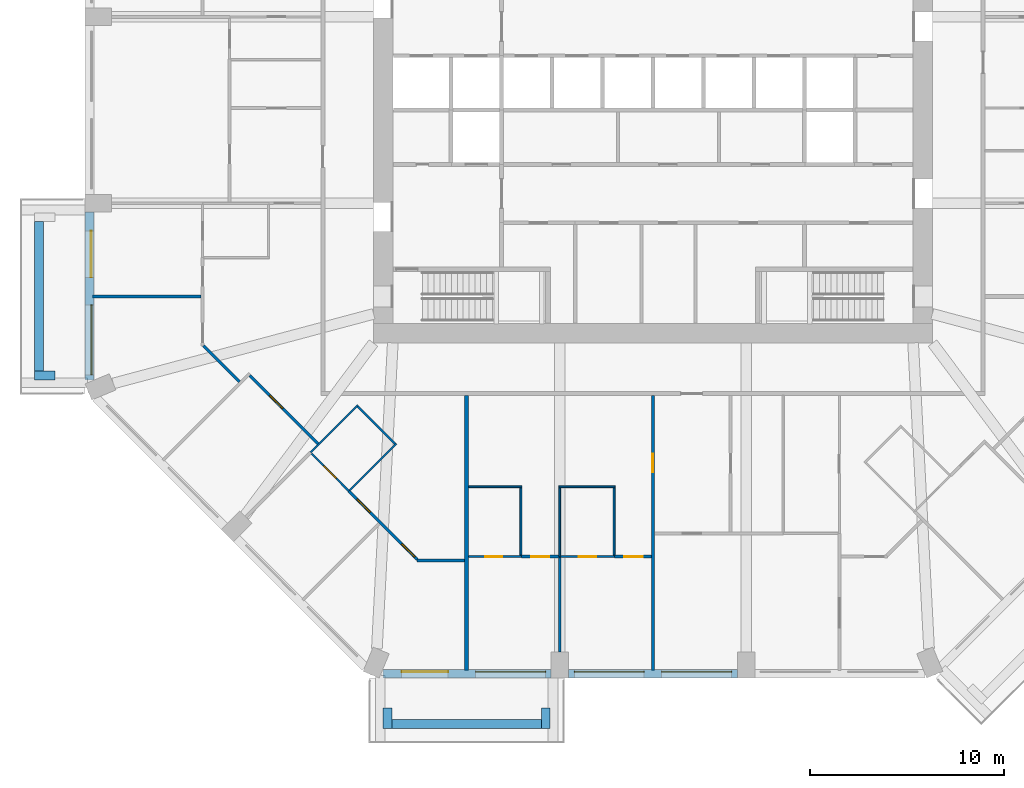
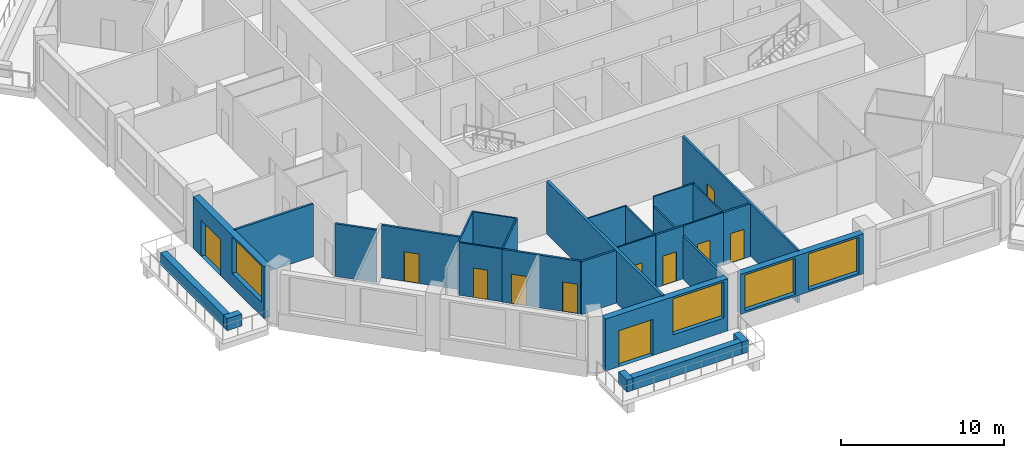
# One storey, part 3 of 13: 29 walls, 11 doors, 4 windows, 15 openings.
"""IFC4 building model written with IfcOpenShell, lengths in metres."""

from ifc_helpers import new_model, si_unit, direction, frame, frame_2d, origin, place, context, subcontext, project, spatial, rectangle, extrude, material, layer, layer_set, type_object, element, fill, save


model = new_model("IFC4")

# Units and contexts
model_context = context("Model", 3, precision=1e-05, world=origin(), true_north=direction((0.0, 1.0)))
body_context = subcontext(model_context, "Body", "Model", "MODEL_VIEW")
ifc_project = project(units=[si_unit("LENGTHUNIT", "METRE"), si_unit("AREAUNIT", "SQUARE_METRE"), si_unit("VOLUMEUNIT", "CUBIC_METRE"), si_unit("PLANEANGLEUNIT", "RADIAN"), si_unit("MASSUNIT", "GRAM", prefix="KILO")], contexts=[model_context])

# Site, building, storey
site_placement = place(None, origin())
site = spatial("IfcSite", under=ifc_project, at=site_placement, CompositionType="ELEMENT")
building_placement = place(site_placement, origin())
building = spatial("IfcBuilding", under=site, at=building_placement, Name="Msitu Wima Residences", CompositionType="ELEMENT")
storey_placement = place(building_placement, frame((0.0, 0.0, 50.699951171875)))
storey = spatial("IfcBuildingStorey", under=building, at=storey_placement, Name="L11", CompositionType="ELEMENT", Elevation=50.699951171875)

# Walls
ifc_material_1 = material(Name="Facing brick")
ifc_layer_1 = layer(ifc_material_1, 0.06494140625, Name="Facing brick")
ifc_material_2 = material(Name="Concrete C40/50", Category="concrete")
ifc_layer_2 = layer(ifc_material_2, 0.156005859375, Name="Concrete C40/50")
ifc_material_3 = material(Name="Waterproofing membrane")
ifc_layer_3 = layer(ifc_material_3, 0.00390625, Name="Waterproofing membrane")
ifc_material_4 = material(Name="Planting soil and planting")
ifc_layer_4 = layer(ifc_material_4, 0.22509765625, Name="Planting soil and planting")
ifc_layer_set_1 = layer_set([ifc_layer_1, ifc_layer_2, ifc_layer_3, ifc_layer_4], Name="Concrete C40/50")
wall_type_1 = type_object("IfcWallType", Name="Balcony planter PLANTER PL450", PredefinedType="USERDEFINED", material=ifc_layer_set_1)
wall_1_placement = place(storey_placement, frame((-31.625, -5.75, 0.0), z_axis=(0.0, 0.0, 1.0), x_axis=(0.0, -1.0, 0.0)))
element("IfcWall", 1, at=wall_1_placement, inside=storey, type_object=wall_type_1, Name="Balcony planter W2 L11", ObjectType="PLANTER", PredefinedType="USERDEFINED", context=body_context, shape_type="SweptSolid", body=[
    extrude(rectangle(XDim=7.699951171875, YDim=0.449951171875, at=frame_2d((3.85009765625, 0.0))), origin(), (0.0, 0.0, 1.0), 0.900146484375),
])
wall_2_placement = place(storey_placement, frame((-30.800048828125, -13.675048828125, 0.0), z_axis=(0.0, 0.0, 1.0), x_axis=(-1.0, 0.0, 0.0)))
element("IfcWall", 2, at=wall_2_placement, inside=storey, type_object=wall_type_1, Name="Balcony planter W2 L11", ObjectType="PLANTER", PredefinedType="USERDEFINED", context=body_context, shape_type="SweptSolid", body=[
    extrude(rectangle(XDim=1.050048828125, YDim=0.449951171875, at=frame_2d((0.52490234375, 0.0))), origin(), (0.0, 0.0, 1.0), 0.900146484375),
])
wall_3_placement = place(storey_placement, frame((-13.449951171875, -31.625, 0.0), z_axis=(0.0, 0.0, 1.0), x_axis=(1.0, 0.0, 0.0)))
element("IfcWall", 3, at=wall_3_placement, inside=storey, type_object=wall_type_1, Name="Balcony planter S0 L11", ObjectType="PLANTER", PredefinedType="USERDEFINED", context=body_context, shape_type="SweptSolid", body=[
    extrude(rectangle(XDim=7.699951171875, YDim=0.449951171875, at=frame_2d((3.85009765625, 0.0))), origin(), (0.0, 0.0, 1.0), 0.900146484375),
])
for number, where, z_axis, x_axis, name in (
    (4, (-13.675048828125, -30.800048828125, 0.0), (0.0, 0.0, 1.0), (0.0, -1.0, 0.0), "Balcony planter S0 L11"),
    (5, (-5.52490234375, -30.800048828125, 0.0), (0.0, 0.0, 1.0), (0.0, -1.0, 0.0), "Balcony planter S0 L11"),
):
    element("IfcWall", number, at=place(storey_placement, frame(where, z_axis=z_axis, x_axis=x_axis)), inside=storey, type_object=wall_type_1, Name=name, ObjectType="PLANTER", PredefinedType="USERDEFINED", context=body_context, shape_type="SweptSolid", body=[
        extrude(rectangle(XDim=1.050048828125, YDim=0.449951171875, at=frame_2d((0.52490234375, 0.0))), origin(), (0.0, 0.0, 1.0), 0.900146484375),
    ])

# Wall, openings, door, window
ifc_material_5 = material(Name="Brick (red buff mix)", Category="masonry")
ifc_layer_5 = layer(ifc_material_5, 0.449951171875)
ifc_layer_set_2 = layer_set([ifc_layer_5], Name="Brick (red buff mix)")
wall_type_2 = type_object("IfcWallType", Name="Brick infill wall BW450", PredefinedType="SOLIDWALL", material=ifc_layer_set_2)
wall_4_placement = place(storey_placement, frame((-29.02490234375, -5.25, 0.0), z_axis=(0.0, 0.0, 1.0), x_axis=(0.0, -1.0, 0.0)))
wall_4 = element("IfcWall", 6, at=wall_4_placement, inside=storey, type_object=wall_type_2, Name="Brick infill wall L11 W2", PredefinedType="SOLIDWALL", context=body_context, shape_type="SweptSolid", body=[
    extrude(rectangle(XDim=8.662841796875, YDim=0.449951171875, at=frame_2d((4.33154296875, 0.0))), origin(), (0.0, 0.0, 1.0), 3.900146484375),
])
opening_1_placement = place(wall_4_placement, frame((0.9658203125, 0.0, 0.0)))
opening_1 = element("IfcOpeningElement", 7, at=opening_1_placement, cuts=wall_4, Name="Opening D11-12.007", PredefinedType="OPENING", context=body_context, shape_type="SweptSolid", body=[
    extrude(rectangle(XDim=2.39990234375, YDim=2.699951171875, at=frame_2d((1.199951171875, 1.35009765625))), frame((0.0, 0.23486328125, 0.0), z_axis=(0.0, -1.0, 0.0), x_axis=(1.0, 0.0, 0.0)), (0.0, 0.0, 1.0), 0.469970703125),
])
opening_2_placement = place(wall_4_placement, frame((4.781494140625, 0.0, 1.050048828125)))
opening_2 = element("IfcOpeningElement", 8, at=opening_2_placement, cuts=wall_4, Name="Opening W11-12.033", PredefinedType="OPENING", context=body_context, shape_type="SweptSolid", body=[
    extrude(rectangle(XDim=3.60009765625, YDim=2.699951171875, at=frame_2d((1.800048828125, 1.35009765625))), frame((0.0, 0.23486328125, 0.0), z_axis=(0.0, -1.0, 0.0), x_axis=(1.0, 0.0, 0.0)), (0.0, 0.0, 1.0), 0.469970703125),
])
ifc_material_6 = material(Name="Anodised aluminium, bronze finish, clear low-emissivity double glazing", Category="aluminium")
door_type_1 = type_object("IfcDoorType", Name="Balcony door D2400x2700", OperationType="SLIDING_TO_LEFT", PredefinedType="DOOR", material=ifc_material_6)
door_1_placement = place(opening_1_placement, origin())
door_1 = element("IfcDoor", 9, at=door_1_placement, inside=storey, type_object=door_type_1, Name="Balcony door L11 W2", OperationType="SINGLE_SWING_LEFT", OverallHeight=2.699951171875, OverallWidth=2.39990234375, PredefinedType="DOOR", context=body_context, shape_type="SweptSolid", body=[
    extrude(rectangle(XDim=2.39990234375, YDim=2.699951171875, at=frame_2d((1.199951171875, 1.35009765625))), frame((0.0, 0.1298828125, 0.0), z_axis=(0.0, -1.0, 0.0), x_axis=(1.0, 0.0, 0.0)), (0.0, 0.0, 1.0), 0.050048828125),
])
fill(opening_1, door_1)
window_type = type_object("IfcWindowType", Name="Window W3600x2700", PartitioningType="DOUBLE_PANEL_VERTICAL", PredefinedType="WINDOW", material=ifc_material_6)
window_1_placement = place(opening_2_placement, origin())
window_1 = element("IfcWindow", 10, at=window_1_placement, inside=storey, type_object=window_type, Name="Window L11 W2.2", OverallHeight=2.699951171875, OverallWidth=3.60009765625, PartitioningType="SINGLE_PANEL", PredefinedType="WINDOW", context=body_context, shape_type="SweptSolid", body=[
    extrude(rectangle(XDim=3.60009765625, YDim=2.699951171875, at=frame_2d((1.800048828125, 1.35009765625))), frame((0.0, 0.135009765625, 0.0), z_axis=(0.0, -1.0, 0.0), x_axis=(1.0, 0.0, 0.0)), (0.0, 0.0, 1.0), 0.06005859375),
])
fill(opening_2, window_1)

wall_5_placement = place(storey_placement, frame((-13.912841796875, -29.02490234375, 0.0), z_axis=(0.0, 0.0, 1.0), x_axis=(1.0, 0.0, 0.0)))
wall_5 = element("IfcWall", 11, at=wall_5_placement, inside=storey, type_object=wall_type_2, Name="Brick infill wall L11 S0", PredefinedType="SOLIDWALL", context=body_context, shape_type="SweptSolid", body=[
    extrude(rectangle(XDim=8.662841796875, YDim=0.449951171875, at=frame_2d((4.33154296875, 0.0))), origin(), (0.0, 0.0, 1.0), 3.900146484375),
])
opening_3_placement = place(wall_5_placement, frame((0.9658203125, 0.0, 0.0)))
opening_3 = element("IfcOpeningElement", 12, at=opening_3_placement, cuts=wall_5, Name="Opening D11-12.005", PredefinedType="OPENING", context=body_context, shape_type="SweptSolid", body=[
    extrude(rectangle(XDim=2.39990234375, YDim=2.699951171875, at=frame_2d((1.199951171875, 1.35009765625))), frame((0.0, 0.23486328125, 0.0), z_axis=(0.0, -1.0, 0.0), x_axis=(1.0, 0.0, 0.0)), (0.0, 0.0, 1.0), 0.469970703125),
])
opening_4_placement = place(wall_5_placement, frame((4.781494140625, 0.0, 1.050048828125)))
opening_4 = element("IfcOpeningElement", 13, at=opening_4_placement, cuts=wall_5, Name="Opening W11-12.017", PredefinedType="OPENING", context=body_context, shape_type="SweptSolid", body=[
    extrude(rectangle(XDim=3.60009765625, YDim=2.699951171875, at=frame_2d((1.800048828125, 1.35009765625))), frame((0.0, 0.23486328125, 0.0), z_axis=(0.0, -1.0, 0.0), x_axis=(1.0, 0.0, 0.0)), (0.0, 0.0, 1.0), 0.469970703125),
])
door_2_placement = place(opening_3_placement, origin())
door_2 = element("IfcDoor", 14, at=door_2_placement, inside=storey, type_object=door_type_1, Name="Balcony door L11 S0", OperationType="SINGLE_SWING_LEFT", OverallHeight=2.699951171875, OverallWidth=2.39990234375, PredefinedType="DOOR", context=body_context, shape_type="SweptSolid", body=[
    extrude(rectangle(XDim=2.39990234375, YDim=2.699951171875, at=frame_2d((1.199951171875, 1.35009765625))), frame((0.0, 0.1298828125, 0.0), z_axis=(0.0, -1.0, 0.0), x_axis=(1.0, 0.0, 0.0)), (0.0, 0.0, 1.0), 0.050048828125),
])
fill(opening_3, door_2)
window_2_placement = place(opening_4_placement, origin())
window_2 = element("IfcWindow", 15, at=window_2_placement, inside=storey, type_object=window_type, Name="Window L11 S0.2", OverallHeight=2.699951171875, OverallWidth=3.60009765625, PartitioningType="SINGLE_PANEL", PredefinedType="WINDOW", context=body_context, shape_type="SweptSolid", body=[
    extrude(rectangle(XDim=3.60009765625, YDim=2.699951171875, at=frame_2d((1.800048828125, 1.35009765625))), frame((0.0, 0.135009765625, 0.0), z_axis=(0.0, -1.0, 0.0), x_axis=(1.0, 0.0, 0.0)), (0.0, 0.0, 1.0), 0.06005859375),
])
fill(opening_4, window_2)

# Wall, openings, windows
wall_6_placement = place(storey_placement, frame((-4.35009765625, -29.02490234375, 0.900146484375), z_axis=(0.0, 0.0, 1.0), x_axis=(1.0, 0.0, 0.0)))
wall_6 = element("IfcWall", 16, at=wall_6_placement, inside=storey, type_object=wall_type_2, Name="Brick infill wall L11 S1", PredefinedType="SOLIDWALL", context=body_context, shape_type="SweptSolid", body=[
    extrude(rectangle(XDim=8.7001953125, YDim=0.449951171875, at=frame_2d((4.35009765625, 0.0))), origin(), (0.0, 0.0, 1.0), 3.0),
])
opening_5_placement = place(wall_6_placement, frame((0.300048828125, 0.0, 0.14990234375)))
opening_5 = element("IfcOpeningElement", 17, at=opening_5_placement, cuts=wall_6, Name="Opening W11-12.018", PredefinedType="OPENING", context=body_context, shape_type="SweptSolid", body=[
    extrude(rectangle(XDim=3.60009765625, YDim=2.699951171875, at=frame_2d((1.800048828125, 1.35009765625))), frame((0.0, 0.23486328125, 0.0), z_axis=(0.0, -1.0, 0.0), x_axis=(1.0, 0.0, 0.0)), (0.0, 0.0, 1.0), 0.469970703125),
])
opening_6_placement = place(wall_6_placement, frame((4.800048828125, 0.0, 0.14990234375)))
opening_6 = element("IfcOpeningElement", 18, at=opening_6_placement, cuts=wall_6, Name="Opening W11-12.019", PredefinedType="OPENING", context=body_context, shape_type="SweptSolid", body=[
    extrude(rectangle(XDim=3.60009765625, YDim=2.699951171875, at=frame_2d((1.800048828125, 1.35009765625))), frame((0.0, 0.23486328125, 0.0), z_axis=(0.0, -1.0, 0.0), x_axis=(1.0, 0.0, 0.0)), (0.0, 0.0, 1.0), 0.469970703125),
])
window_3_placement = place(opening_5_placement, origin())
window_3 = element("IfcWindow", 19, at=window_3_placement, inside=storey, type_object=window_type, Name="Window L11 S1.1", OverallHeight=2.699951171875, OverallWidth=3.60009765625, PartitioningType="SINGLE_PANEL", PredefinedType="WINDOW", context=body_context, shape_type="SweptSolid", body=[
    extrude(rectangle(XDim=3.60009765625, YDim=2.699951171875, at=frame_2d((1.800048828125, 1.35009765625))), frame((0.0, 0.135009765625, 0.0), z_axis=(0.0, -1.0, 0.0), x_axis=(1.0, 0.0, 0.0)), (0.0, 0.0, 1.0), 0.06005859375),
])
fill(opening_5, window_3)
window_4_placement = place(opening_6_placement, origin())
window_4 = element("IfcWindow", 20, at=window_4_placement, inside=storey, type_object=window_type, Name="Window L11 S1.2", OverallHeight=2.699951171875, OverallWidth=3.60009765625, PartitioningType="SINGLE_PANEL", PredefinedType="WINDOW", context=body_context, shape_type="SweptSolid", body=[
    extrude(rectangle(XDim=3.60009765625, YDim=2.699951171875, at=frame_2d((1.800048828125, 1.35009765625))), frame((0.0, 0.135009765625, 0.0), z_axis=(0.0, -1.0, 0.0), x_axis=(1.0, 0.0, 0.0)), (0.0, 0.0, 1.0), 0.06005859375),
])
fill(opening_6, window_4)

# Walls
ifc_material_7 = material(Name="Plaster")
ifc_layer_6 = layer(ifc_material_7, 0.011962890625, Name="Plaster")
ifc_material_8 = material(Name="Concrete blockwork", Category="masonry")
ifc_layer_7 = layer(ifc_material_8, 0.1259765625, Name="Concrete blockwork")
ifc_layer_8 = layer(ifc_material_7, 0.011962890625, Name="Plaster")
ifc_layer_set_3 = layer_set([ifc_layer_6, ifc_layer_7, ifc_layer_8], Name="Concrete blockwork")
wall_type_3 = type_object("IfcWallType", Name="Partition PW150", PredefinedType="PARTITIONING", material=ifc_layer_set_3)
wall_7_placement = place(storey_placement, frame((-28.85498046875, -9.60009765625, 0.0), z_axis=(0.0, 0.0, 1.0), x_axis=(1.0, 0.0, 0.0)))
element("IfcWall", 21, at=wall_7_placement, inside=storey, type_object=wall_type_3, Name="Partition", PredefinedType="PARTITIONING", context=body_context, shape_type="SweptSolid", body=[
    extrude(rectangle(XDim=5.580078125, YDim=0.14990234375, at=frame_2d((2.7900390625, 0.0))), origin(), (0.0, 0.0, 1.0), 3.949951171875),
])
wall_8_placement = place(storey_placement, frame((-23.14697265625, -12.133544921875, 0.0), z_axis=(0.0, 0.0, 1.0), x_axis=(0.70715334579, -0.707060213517, 0.0)))
element("IfcWall", 22, at=wall_8_placement, inside=storey, type_object=wall_type_3, Name="Partition", PredefinedType="PARTITIONING", context=body_context, shape_type="SweptSolid", body=[
    extrude(rectangle(XDim=2.621337890625, YDim=0.14990234375, at=frame_2d((1.310546875, 0.0))), origin(), (0.0, 0.0, 1.0), 3.949951171875),
])

# Wall, opening, door
wall_9_placement = place(storey_placement, frame((-20.762939453125, -13.6689453125, 0.0), z_axis=(0.0, 0.0, 1.0), x_axis=(0.707106781187, -0.707106781187, 0.0)))
wall_9 = element("IfcWall", 23, at=wall_9_placement, inside=storey, type_object=wall_type_3, Name="Partition", PredefinedType="PARTITIONING", context=body_context, shape_type="SweptSolid", body=[
    extrude(rectangle(XDim=4.96630859375, YDim=0.14990234375, at=frame_2d((2.483154296875, 0.0))), origin(), (0.0, 0.0, 1.0), 3.949951171875),
])
opening_7_placement = place(wall_9_placement, frame((1.449951171875, 0.0, 0.0)))
opening_7 = element("IfcOpeningElement", 24, at=opening_7_placement, cuts=wall_9, Name="Opening D11-12.064", PredefinedType="OPENING", context=body_context, shape_type="SweptSolid", body=[
    extrude(rectangle(XDim=0.949951171875, YDim=2.199951171875, at=frame_2d((0.47509765625, 1.10009765625))), frame((0.0, 0.0849609375, 0.0), z_axis=(0.0, -1.0, 0.0), x_axis=(1.0, 0.0, 0.0)), (0.0, 0.0, 1.0), 0.169921875),
])
ifc_material_9 = material(Name="Timber flush door", Category="wood")
door_type_2 = type_object("IfcDoorType", Name="Room door D12 950x2200", OperationType="SINGLE_SWING_LEFT", PredefinedType="DOOR", material=ifc_material_9)
door_3_placement = place(opening_7_placement, origin())
door_3 = element("IfcDoor", 25, at=door_3_placement, inside=storey, type_object=door_type_2, Name="Room door", OperationType="SINGLE_SWING_RIGHT", OverallHeight=2.199951171875, OverallWidth=0.949951171875, PredefinedType="DOOR", context=body_context, shape_type="SweptSolid", body=[
    extrude(rectangle(XDim=0.949951171875, YDim=2.199951171875, at=frame_2d((0.47509765625, 1.10009765625))), frame((0.0, 0.02490234375, 0.0), z_axis=(0.0, -1.0, 0.0), x_axis=(1.0, 0.0, 0.0)), (0.0, 0.0, 1.0), 0.050048828125),
])
fill(opening_7, door_3)

# Wall, openings, doors
wall_10_placement = place(storey_placement, frame((-15.660400390625, -19.6201171875, 0.0), z_axis=(0.0, 0.0, 1.0), x_axis=(0.707106781187, -0.707106781187, 0.0)))
wall_10 = element("IfcWall", 26, at=wall_10_placement, inside=storey, type_object=wall_type_3, Name="Partition", PredefinedType="PARTITIONING", context=body_context, shape_type="SweptSolid", body=[
    extrude(rectangle(XDim=4.98779296875, YDim=0.14990234375, at=frame_2d((2.493896484375, 0.0))), origin(), (0.0, 0.0, 1.0), 3.949951171875),
])
opening_8_placement = place(wall_10_placement, frame((0.60009765625, 0.0, 0.0)))
opening_8 = element("IfcOpeningElement", 27, at=opening_8_placement, cuts=wall_10, Name="Opening D11-12.060", PredefinedType="OPENING", context=body_context, shape_type="SweptSolid", body=[
    extrude(rectangle(XDim=0.949951171875, YDim=2.199951171875, at=frame_2d((0.47509765625, 1.10009765625))), frame((0.0, 0.0849609375, 0.0), z_axis=(0.0, -1.0, 0.0), x_axis=(1.0, 0.0, 0.0)), (0.0, 0.0, 1.0), 0.169921875),
])
opening_9_placement = place(wall_10_placement, frame((3.85009765625, 0.0, 0.0)))
opening_9 = element("IfcOpeningElement", 28, at=opening_9_placement, cuts=wall_10, Name="Opening D11-12.066", PredefinedType="OPENING", context=body_context, shape_type="SweptSolid", body=[
    extrude(rectangle(XDim=0.949951171875, YDim=2.199951171875, at=frame_2d((0.47509765625, 1.10009765625))), frame((0.0, 0.0849609375, 0.0), z_axis=(0.0, -1.0, 0.0), x_axis=(1.0, 0.0, 0.0)), (0.0, 0.0, 1.0), 0.169921875),
])
door_4_placement = place(opening_8_placement, origin())
door_4 = element("IfcDoor", 29, at=door_4_placement, inside=storey, type_object=door_type_2, Name="Room door", OperationType="SINGLE_SWING_LEFT", OverallHeight=2.199951171875, OverallWidth=0.949951171875, PredefinedType="DOOR", context=body_context, shape_type="SweptSolid", body=[
    extrude(rectangle(XDim=0.949951171875, YDim=2.199951171875, at=frame_2d((0.47509765625, 1.10009765625))), frame((0.0, 0.02490234375, 0.0), z_axis=(0.0, -1.0, 0.0), x_axis=(1.0, 0.0, 0.0)), (0.0, 0.0, 1.0), 0.050048828125),
])
fill(opening_8, door_4)
door_5_placement = place(opening_9_placement, origin())
door_5 = element("IfcDoor", 30, at=door_5_placement, inside=storey, type_object=door_type_2, Name="Room door", OperationType="SINGLE_SWING_RIGHT", OverallHeight=2.199951171875, OverallWidth=0.949951171875, PredefinedType="DOOR", context=body_context, shape_type="SweptSolid", body=[
    extrude(rectangle(XDim=0.949951171875, YDim=2.199951171875, at=frame_2d((0.47509765625, 1.10009765625))), frame((0.0, 0.02490234375, 0.0), z_axis=(0.0, -1.0, 0.0), x_axis=(1.0, 0.0, 0.0)), (0.0, 0.0, 1.0), 0.050048828125),
])
fill(opening_9, door_5)

# Wall
wall_11_placement = place(storey_placement, frame((-12.155517578125, -23.199951171875, 0.0), z_axis=(0.0, 0.0, 1.0), x_axis=(1.0, 0.0, 0.0)))
element("IfcWall", 31, at=wall_11_placement, inside=storey, type_object=wall_type_3, Name="Partition", PredefinedType="PARTITIONING", context=body_context, shape_type="SweptSolid", body=[
    extrude(rectangle(XDim=2.45556640625, YDim=0.14990234375, at=frame_2d((1.227783203125, 0.0))), origin(), (0.0, 0.0, 1.0), 3.949951171875),
])

# Wall, opening, door
wall_12_placement = place(storey_placement, frame((-6.780029296875, -23.0, 0.0), z_axis=(0.0, 0.0, 1.0), x_axis=(1.0, 0.0, 0.0)))
wall_12 = element("IfcWall", 32, at=wall_12_placement, inside=storey, type_object=wall_type_3, Name="Partition", PredefinedType="PARTITIONING", context=body_context, shape_type="SweptSolid", body=[
    extrude(rectangle(XDim=1.9599609375, YDim=0.14990234375, at=frame_2d((0.97998046875, 0.0))), origin(), (0.0, 0.0, 1.0), 3.949951171875),
])
opening_10_placement = place(wall_12_placement, frame((0.5, 0.0, 0.0)))
opening_10 = element("IfcOpeningElement", 33, at=opening_10_placement, cuts=wall_12, Name="Opening D11-12.076", PredefinedType="OPENING", context=body_context, shape_type="SweptSolid", body=[
    extrude(rectangle(XDim=0.949951171875, YDim=2.199951171875, at=frame_2d((0.47509765625, 1.10009765625))), frame((0.0, 0.0849609375, 0.0), z_axis=(0.0, -1.0, 0.0), x_axis=(1.0, 0.0, 0.0)), (0.0, 0.0, 1.0), 0.169921875),
])
door_6_placement = place(opening_10_placement, origin())
door_6 = element("IfcDoor", 34, at=door_6_placement, inside=storey, type_object=door_type_2, Name="Room door", OperationType="SINGLE_SWING_LEFT", OverallHeight=2.199951171875, OverallWidth=0.949951171875, PredefinedType="DOOR", context=body_context, shape_type="SweptSolid", body=[
    extrude(rectangle(XDim=0.949951171875, YDim=2.199951171875, at=frame_2d((0.47509765625, 1.10009765625))), frame((0.0, 0.02490234375, 0.0), z_axis=(0.0, -1.0, 0.0), x_axis=(1.0, 0.0, 0.0)), (0.0, 0.0, 1.0), 0.050048828125),
])
fill(opening_10, door_6)

# Wall
wall_13_placement = place(storey_placement, frame((-4.800048828125, -27.89990234375, 0.0), z_axis=(0.0, 0.0, 1.0), x_axis=(0.0, 1.0, 0.0)))
element("IfcWall", 35, at=wall_13_placement, inside=storey, type_object=wall_type_3, Name="Partition", PredefinedType="PARTITIONING", context=body_context, shape_type="SweptSolid", body=[
    extrude(rectangle(XDim=4.919921875, YDim=0.14990234375, at=frame_2d((2.4599609375, 0.0))), origin(), (0.0, 0.0, 1.0), 3.199951171875),
])

# Wall, opening, door
wall_14_placement = place(storey_placement, frame((-1.97998046875, -23.0, 0.0), z_axis=(0.0, 0.0, 1.0), x_axis=(1.0, 0.0, 0.0)))
wall_14 = element("IfcWall", 36, at=wall_14_placement, inside=storey, type_object=wall_type_3, Name="Partition", PredefinedType="PARTITIONING", context=body_context, shape_type="SweptSolid", body=[
    extrude(rectangle(XDim=1.905029296875, YDim=0.14990234375, at=frame_2d((0.95263671875, 0.0))), origin(), (0.0, 0.0, 1.0), 3.949951171875),
])
opening_11_placement = place(wall_14_placement, frame((0.5, 0.0, 0.0)))
opening_11 = element("IfcOpeningElement", 37, at=opening_11_placement, cuts=wall_14, Name="Opening D11-12.074", PredefinedType="OPENING", context=body_context, shape_type="SweptSolid", body=[
    extrude(rectangle(XDim=0.949951171875, YDim=2.199951171875, at=frame_2d((0.47509765625, 1.10009765625))), frame((0.0, 0.0849609375, 0.0), z_axis=(0.0, -1.0, 0.0), x_axis=(1.0, 0.0, 0.0)), (0.0, 0.0, 1.0), 0.169921875),
])
door_7_placement = place(opening_11_placement, origin())
door_7 = element("IfcDoor", 38, at=door_7_placement, inside=storey, type_object=door_type_2, Name="Room door", OperationType="SINGLE_SWING_LEFT", OverallHeight=2.199951171875, OverallWidth=0.949951171875, PredefinedType="DOOR", context=body_context, shape_type="SweptSolid", body=[
    extrude(rectangle(XDim=0.949951171875, YDim=2.199951171875, at=frame_2d((0.47509765625, 1.10009765625))), frame((0.0, 0.02490234375, 0.0), z_axis=(0.0, -1.0, 0.0), x_axis=(1.0, 0.0, 0.0)), (0.0, 0.0, 1.0), 0.050048828125),
])
fill(opening_11, door_7)

wall_15_placement = place(storey_placement, frame((0.0, -28.85498046875, 0.0), z_axis=(0.0, 0.0, 1.0), x_axis=(0.0, 1.0, 0.0)))
wall_15 = element("IfcWall", 39, at=wall_15_placement, inside=storey, type_object=wall_type_3, Name="Partition", PredefinedType="PARTITIONING", context=body_context, shape_type="SweptSolid", body=[
    extrude(rectangle(XDim=14.155029296875, YDim=0.14990234375, at=frame_2d((7.07763671875, 0.0))), origin(), (0.0, 0.0, 1.0), 3.949951171875),
])
opening_12_placement = place(wall_15_placement, frame((10.199951171875, 0.0, 0.0)))
opening_12 = element("IfcOpeningElement", 40, at=opening_12_placement, cuts=wall_15, Name="Opening D11-12.072", PredefinedType="OPENING", context=body_context, shape_type="SweptSolid", body=[
    extrude(rectangle(XDim=0.949951171875, YDim=2.199951171875, at=frame_2d((0.47509765625, 1.10009765625))), frame((0.0, 0.0849609375, 0.0), z_axis=(0.0, -1.0, 0.0), x_axis=(1.0, 0.0, 0.0)), (0.0, 0.0, 1.0), 0.169921875),
])
door_8_placement = place(opening_12_placement, origin())
door_8 = element("IfcDoor", 41, at=door_8_placement, inside=storey, type_object=door_type_2, Name="Room door", OperationType="SINGLE_SWING_RIGHT", OverallHeight=2.199951171875, OverallWidth=0.949951171875, PredefinedType="DOOR", context=body_context, shape_type="SweptSolid", body=[
    extrude(rectangle(XDim=0.949951171875, YDim=2.199951171875, at=frame_2d((0.47509765625, 1.10009765625))), frame((0.0, 0.02490234375, 0.0), z_axis=(0.0, -1.0, 0.0), x_axis=(1.0, 0.0, 0.0)), (0.0, 0.0, 1.0), 0.050048828125),
])
fill(opening_12, door_8)

# Walls
ifc_layer_9 = layer(ifc_material_7, 0.011962890625, Name="Plaster")
ifc_material_10 = material(Name="Dense concrete blockwork", Category="masonry")
ifc_layer_10 = layer(ifc_material_10, 0.176025390625, Name="Dense concrete blockwork")
ifc_layer_11 = layer(ifc_material_7, 0.011962890625, Name="Plaster")
ifc_layer_set_4 = layer_set([ifc_layer_9, ifc_layer_10, ifc_layer_11], Name="Dense concrete blockwork")
wall_type_4 = type_object("IfcWallType", Name="Party wall PW200", PredefinedType="PARTITIONING", material=ifc_layer_set_4)
wall_16_placement = place(storey_placement, frame((-9.60009765625, -28.85498046875, 0.0), z_axis=(0.0, 0.0, 1.0), x_axis=(0.0, 1.0, 0.0)))
element("IfcWall", 42, at=wall_16_placement, inside=storey, type_object=wall_type_4, Name="Party wall", PredefinedType="PARTITIONING", context=body_context, shape_type="SweptSolid", body=[
    extrude(rectangle(XDim=14.155029296875, YDim=0.199951171875, at=frame_2d((7.07763671875, 0.0))), origin(), (0.0, 0.0, 1.0), 3.949951171875),
])
ifc_material_11 = material(Name="Ceramic tiles")
ifc_layer_12 = layer(ifc_material_11, 0.008056640625, Name="Ceramic tiles")
ifc_material_12 = material(Name="Moisture-resistant board")
ifc_layer_13 = layer(ifc_material_12, 0.012451171875, Name="Moisture-resistant board")
ifc_material_13 = material(Name="Light-gauge stud framing with mineral wool")
ifc_layer_14 = layer(ifc_material_13, 0.06689453125, Name="Light-gauge stud framing with mineral wool")
ifc_layer_15 = layer(ifc_material_12, 0.012451171875, Name="Moisture-resistant board")
ifc_layer_set_5 = layer_set([ifc_layer_12, ifc_layer_13, ifc_layer_14, ifc_layer_15], Name="Light-gauge stud framing with mineral wool")
wall_type_5 = type_object("IfcWallType", Name="Wet wall PW100", PredefinedType="PARTITIONING", material=ifc_layer_set_5)
wall_17_placement = place(storey_placement, frame((-17.6259765625, -17.6259765625, 0.0), z_axis=(0.0, 0.0, 1.0), x_axis=(0.707106781187, 0.707106781187, 0.0)))
element("IfcWall", 43, at=wall_17_placement, inside=storey, type_object=wall_type_5, Name="Wet wall", PredefinedType="PARTITIONING", context=body_context, shape_type="SweptSolid", body=[
    extrude(rectangle(XDim=3.429931640625, YDim=0.10009765625, at=frame_2d((1.71484375, 0.0))), origin(), (0.0, 0.0, 1.0), 3.949951171875),
])

# Wall, opening, door
wall_18_placement = place(storey_placement, frame((-17.587158203125, -17.693115234375, 0.0), z_axis=(0.0, 0.0, 1.0), x_axis=(0.707061983646, -0.707151575889, 0.0)))
wall_18 = element("IfcWall", 44, at=wall_18_placement, inside=storey, type_object=wall_type_5, Name="Wet wall", PredefinedType="PARTITIONING", context=body_context, shape_type="SweptSolid", body=[
    extrude(rectangle(XDim=2.72509765625, YDim=0.10009765625, at=frame_2d((1.362548828125, 0.0))), origin(), (0.0, 0.0, 1.0), 3.949951171875),
])
opening_13_placement = place(wall_18_placement, frame((0.89990234375, 0.0, 0.0)))
opening_13 = element("IfcOpeningElement", 45, at=opening_13_placement, cuts=wall_18, Name="Opening D11-12.061", PredefinedType="OPENING", context=body_context, shape_type="SweptSolid", body=[
    extrude(rectangle(XDim=0.89990234375, YDim=2.199951171875, at=frame_2d((0.449951171875, 1.10009765625))), frame((0.0, 0.06005859375, 0.0), z_axis=(0.0, -1.0, 0.0), x_axis=(1.0, 0.0, 0.0)), (0.0, 0.0, 1.0), 0.1201171875),
])
ifc_material_14 = material(Name="Timber flush door, moisture resistant", Category="wood")
door_type_3 = type_object("IfcDoorType", Name="Bathroom door D03 900x2200", OperationType="SINGLE_SWING_LEFT", PredefinedType="DOOR", material=ifc_material_14)
door_9_placement = place(opening_13_placement, origin())
door_9 = element("IfcDoor", 46, at=door_9_placement, inside=storey, type_object=door_type_3, Name="Bathroom door", OperationType="SINGLE_SWING_RIGHT", OverallHeight=2.199951171875, OverallWidth=0.89990234375, PredefinedType="DOOR", context=body_context, shape_type="SweptSolid", body=[
    extrude(rectangle(XDim=0.89990234375, YDim=2.199951171875, at=frame_2d((0.449951171875, 1.10009765625))), frame((0.0, 0.02490234375, 0.0), z_axis=(0.0, -1.0, 0.0), x_axis=(1.0, 0.0, 0.0)), (0.0, 0.0, 1.0), 0.050048828125),
])
fill(opening_13, door_9)

# Walls
wall_19_placement = place(storey_placement, frame((-15.625, -19.584716796875, 0.0), z_axis=(0.0, 0.0, 1.0), x_axis=(0.707142683133, 0.707070877417, 0.0)))
element("IfcWall", 47, at=wall_19_placement, inside=storey, type_object=wall_type_5, Name="Wet wall", PredefinedType="PARTITIONING", context=body_context, shape_type="SweptSolid", body=[
    extrude(rectangle(XDim=3.39990234375, YDim=0.10009765625, at=frame_2d((1.699951171875, 0.0))), origin(), (0.0, 0.0, 1.0), 3.949951171875),
])
wall_20_placement = place(storey_placement, frame((-15.20068359375, -15.271484375, 0.0), z_axis=(0.0, 0.0, 1.0), x_axis=(0.707106781187, -0.707106781187, 0.0)))
element("IfcWall", 48, at=wall_20_placement, inside=storey, type_object=wall_type_5, Name="Wet wall", PredefinedType="PARTITIONING", context=body_context, shape_type="SweptSolid", body=[
    extrude(rectangle(XDim=2.699951171875, YDim=0.10009765625, at=frame_2d((1.35009765625, 0.0))), origin(), (0.0, 0.0, 1.0), 3.949951171875),
])

# Wall, opening, door
wall_21_placement = place(storey_placement, frame((-9.5, -23.0, 0.0), z_axis=(0.0, 0.0, 1.0), x_axis=(1.0, 0.0, 0.0)))
wall_21 = element("IfcWall", 49, at=wall_21_placement, inside=storey, type_object=wall_type_5, Name="Wet wall", PredefinedType="PARTITIONING", context=body_context, shape_type="SweptSolid", body=[
    extrude(rectangle(XDim=2.719970703125, YDim=0.10009765625, at=frame_2d((1.35986328125, 0.0))), origin(), (0.0, 0.0, 1.0), 3.949951171875),
])
opening_14_placement = place(wall_21_placement, frame((0.85009765625, 0.0, 0.0)))
opening_14 = element("IfcOpeningElement", 50, at=opening_14_placement, cuts=wall_21, Name="Opening D11-12.077", PredefinedType="OPENING", context=body_context, shape_type="SweptSolid", body=[
    extrude(rectangle(XDim=0.89990234375, YDim=2.199951171875, at=frame_2d((0.449951171875, 1.10009765625))), frame((0.0, 0.06005859375, 0.0), z_axis=(0.0, -1.0, 0.0), x_axis=(1.0, 0.0, 0.0)), (0.0, 0.0, 1.0), 0.1201171875),
])
door_10_placement = place(opening_14_placement, origin())
door_10 = element("IfcDoor", 51, at=door_10_placement, inside=storey, type_object=door_type_3, Name="Bathroom door", OperationType="SINGLE_SWING_LEFT", OverallHeight=2.199951171875, OverallWidth=0.89990234375, PredefinedType="DOOR", context=body_context, shape_type="SweptSolid", body=[
    extrude(rectangle(XDim=0.89990234375, YDim=2.199951171875, at=frame_2d((0.449951171875, 1.10009765625))), frame((0.0, 0.02490234375, 0.0), z_axis=(0.0, -1.0, 0.0), x_axis=(1.0, 0.0, 0.0)), (0.0, 0.0, 1.0), 0.050048828125),
])
fill(opening_14, door_10)

# Walls
wall_22_placement = place(storey_placement, frame((-9.5, -19.39990234375, 0.0), z_axis=(0.0, 0.0, 1.0), x_axis=(1.0, 0.0, 0.0)))
element("IfcWall", 52, at=wall_22_placement, inside=storey, type_object=wall_type_5, Name="Wet wall", PredefinedType="PARTITIONING", context=body_context, shape_type="SweptSolid", body=[
    extrude(rectangle(XDim=2.75, YDim=0.10009765625, at=frame_2d((1.375, 0.0))), origin(), (0.0, 0.0, 1.0), 3.949951171875),
])
wall_23_placement = place(storey_placement, frame((-6.800048828125, -22.925048828125, 0.0), z_axis=(0.0, 0.0, 1.0), x_axis=(0.0, 1.0, 0.0)))
element("IfcWall", 53, at=wall_23_placement, inside=storey, type_object=wall_type_5, Name="Wet wall", PredefinedType="PARTITIONING", context=body_context, shape_type="SweptSolid", body=[
    extrude(rectangle(XDim=3.47509765625, YDim=0.10009765625, at=frame_2d((1.737548828125, 0.0))), origin(), (0.0, 0.0, 1.0), 3.949951171875),
])

# Wall, opening, door
wall_24_placement = place(storey_placement, frame((-4.820068359375, -23.0, 0.0), z_axis=(0.0, 0.0, 1.0), x_axis=(1.0, 0.0, 0.0)))
wall_24 = element("IfcWall", 54, at=wall_24_placement, inside=storey, type_object=wall_type_5, Name="Wet wall", PredefinedType="PARTITIONING", context=body_context, shape_type="SweptSolid", body=[
    extrude(rectangle(XDim=2.840087890625, YDim=0.10009765625, at=frame_2d((1.419921875, 0.0))), origin(), (0.0, 0.0, 1.0), 3.949951171875),
])
opening_15_placement = place(wall_24_placement, frame((1.0, 0.0, 0.0)))
opening_15 = element("IfcOpeningElement", 55, at=opening_15_placement, cuts=wall_24, Name="Opening D11-12.075", PredefinedType="OPENING", context=body_context, shape_type="SweptSolid", body=[
    extrude(rectangle(XDim=0.89990234375, YDim=2.199951171875, at=frame_2d((0.449951171875, 1.10009765625))), frame((0.0, 0.06005859375, 0.0), z_axis=(0.0, -1.0, 0.0), x_axis=(1.0, 0.0, 0.0)), (0.0, 0.0, 1.0), 0.1201171875),
])
door_11_placement = place(opening_15_placement, origin())
door_11 = element("IfcDoor", 56, at=door_11_placement, inside=storey, type_object=door_type_3, Name="Bathroom door", OperationType="SINGLE_SWING_RIGHT", OverallHeight=2.199951171875, OverallWidth=0.89990234375, PredefinedType="DOOR", context=body_context, shape_type="SweptSolid", body=[
    extrude(rectangle(XDim=0.89990234375, YDim=2.199951171875, at=frame_2d((0.449951171875, 1.10009765625))), frame((0.0, 0.02490234375, 0.0), z_axis=(0.0, -1.0, 0.0), x_axis=(1.0, 0.0, 0.0)), (0.0, 0.0, 1.0), 0.050048828125),
])
fill(opening_15, door_11)

# Walls
wall_25_placement = place(storey_placement, frame((-4.800048828125, -22.97998046875, 0.0), z_axis=(0.0, 0.0, 1.0), x_axis=(0.0, 1.0, 0.0)))
element("IfcWall", 57, at=wall_25_placement, inside=storey, type_object=wall_type_5, Name="Wet wall", PredefinedType="PARTITIONING", context=body_context, shape_type="SweptSolid", body=[
    extrude(rectangle(XDim=3.530029296875, YDim=0.10009765625, at=frame_2d((1.76513671875, 0.0))), origin(), (0.0, 0.0, 1.0), 3.199951171875),
])
wall_26_placement = place(storey_placement, frame((-4.85009765625, -19.39990234375, 0.0), z_axis=(0.0, 0.0, 1.0), x_axis=(1.0, 0.0, 0.0)))
element("IfcWall", 58, at=wall_26_placement, inside=storey, type_object=wall_type_5, Name="Wet wall", PredefinedType="PARTITIONING", context=body_context, shape_type="SweptSolid", body=[
    extrude(rectangle(XDim=2.900146484375, YDim=0.10009765625, at=frame_2d((1.4501953125, 0.0))), origin(), (0.0, 0.0, 1.0), 3.949951171875),
])
wall_27_placement = place(storey_placement, frame((-2.0, -22.925048828125, 0.0), z_axis=(0.0, 0.0, 1.0), x_axis=(0.0, 1.0, 0.0)))
element("IfcWall", 59, at=wall_27_placement, inside=storey, type_object=wall_type_5, Name="Wet wall", PredefinedType="PARTITIONING", context=body_context, shape_type="SweptSolid", body=[
    extrude(rectangle(XDim=3.47509765625, YDim=0.10009765625, at=frame_2d((1.737548828125, 0.0))), origin(), (0.0, 0.0, 1.0), 3.949951171875),
])

save(model, "model.ifc")
